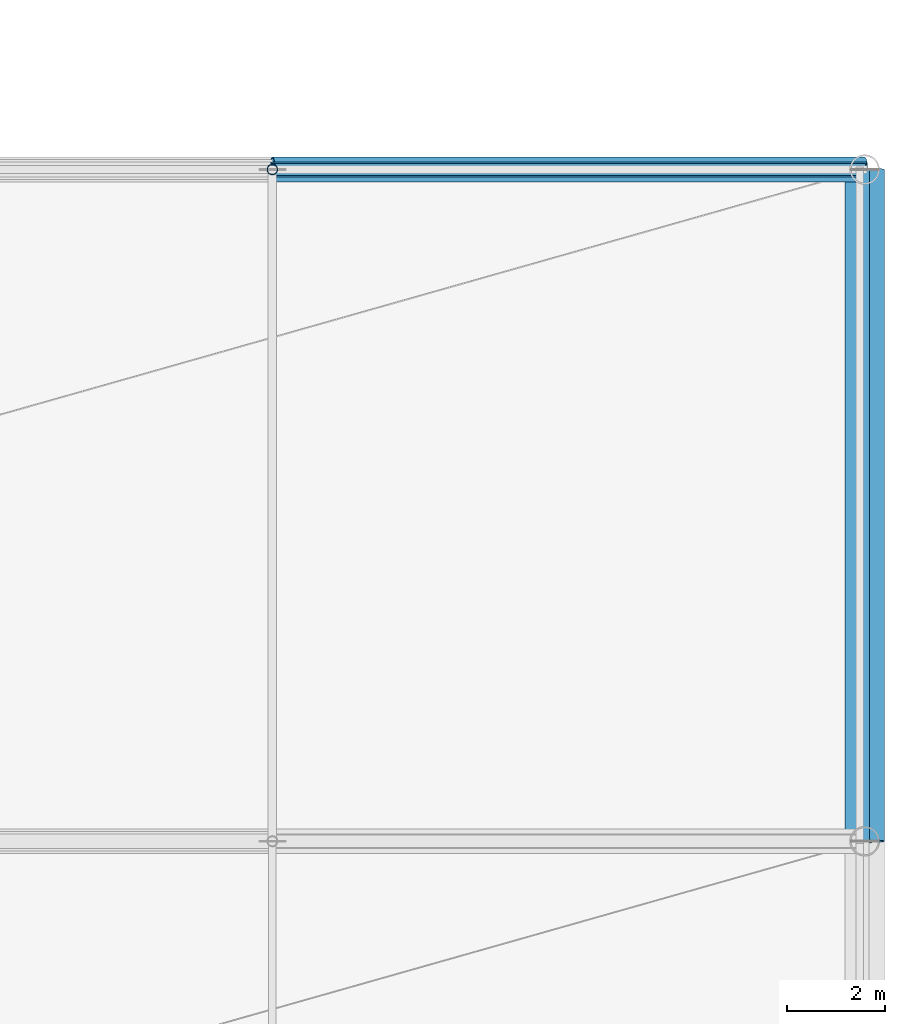
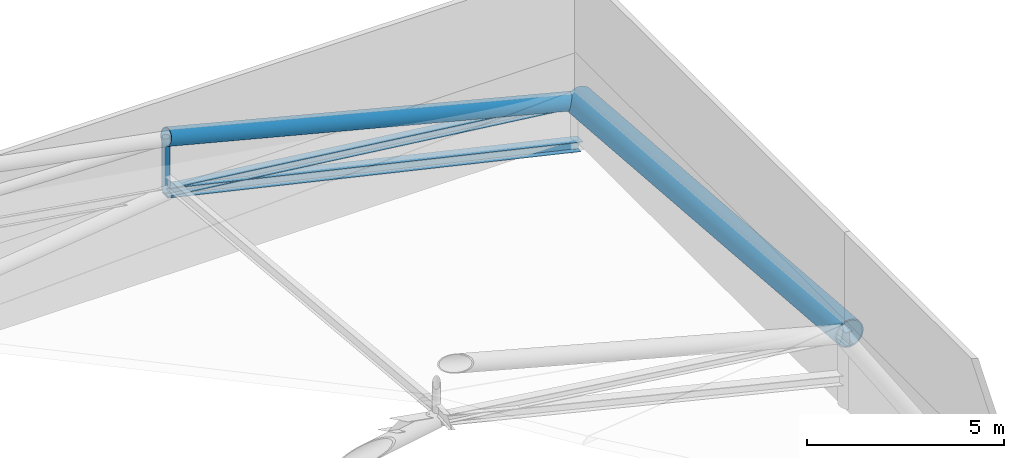
# One storey, part 26 of 36: 5 members, 1 beam.
"""IFC4 building model written with IfcOpenShell, lengths in metres."""

from ifc_helpers import new_model, si_unit, direction, frame, origin, origin_2d, place, context, subcontext, project, spatial, hollow_circle, i_section, extrude, material, material_profile, profile_set, type_object, element, save


model = new_model("IFC4")

# Units and contexts
model_context = context("Model", 3, precision=1e-05, world=origin(), true_north=direction((0.0, 1.0)))
body_context = subcontext(model_context, "Body", "Model", "MODEL_VIEW")
ifc_project = project(units=[si_unit("LENGTHUNIT", "METRE"), si_unit("AREAUNIT", "SQUARE_METRE"), si_unit("VOLUMEUNIT", "CUBIC_METRE"), si_unit("PLANEANGLEUNIT", "RADIAN"), si_unit("MASSUNIT", "GRAM", prefix="KILO")], contexts=[model_context])

# Site, building, storey
site_placement = place(None, origin())
site = spatial("IfcSite", under=ifc_project, at=site_placement, CompositionType="ELEMENT")
building_placement = place(site_placement, origin())
building = spatial("IfcBuilding", under=site, at=building_placement, Name="Linyun Crest Stadium", CompositionType="ELEMENT")
storey_placement = place(building_placement, frame((0.0, 0.0, 31.60009765625)))
storey = spatial("IfcBuildingStorey", under=building, at=storey_placement, Name="RF", CompositionType="ELEMENT", Elevation=31.60009765625)

# Beam
ifc_material_1 = material(Name="Steel Q420C", Category="steel")
ifc_material_profile_1 = material_profile(ifc_material_1, hollow_circle(Radius=0.406494140625, WallThickness=0.035888671875, at=origin_2d()), Name="CHS 813x36")
ifc_profile_set_1 = profile_set([ifc_material_profile_1], Name="Steel Q420C")
beam_type = type_object("IfcBeamType", Name="HB01", PredefinedType="USERDEFINED", material=ifc_profile_set_1)
beam_placement = place(storey_placement, frame((-35.5, 29.625, 2.15283203125), z_axis=(0.0, 0.996786513506, -0.080103973014), x_axis=(-1.0, 0.0, 0.0)))
element("IfcBeam", 1, at=beam_placement, inside=storey, type_object=beam_type, Name="Roof Inner tension ring beam HB01 V1 13", ObjectType="RING BEAM", PredefinedType="USERDEFINED", context=body_context, shape_type="SweptSolid", body=[
    extrude(hollow_circle(Radius=0.406494140625, WallThickness=0.035888671875, at=origin_2d()), origin(), (0.0, 0.0, 1.0), 13.79443359375),
])

# Members
ifc_material_2 = material(Name="Steel Q355B", Category="steel")
ifc_material_profile_2 = material_profile(ifc_material_2, i_section(OverallWidth=0.199951171875, OverallDepth=0.39990234375, WebThickness=0.008056640625, FlangeThickness=0.012939453125, at=origin_2d()), Name="HN 400x200")
ifc_profile_set_2 = profile_set([ifc_material_profile_2], Name="Steel Q355B")
member_type_1 = type_object("IfcMemberType", Name="PR03", PredefinedType="PURLIN", material=ifc_profile_set_2)
member_1_placement = place(storey_placement, frame((-35.5, 29.625, 1.992919921875), z_axis=(0.0, 0.996786513506, -0.080103973014), x_axis=(-1.0, 0.0, 0.0)))
element("IfcMember", 2, at=member_1_placement, inside=storey, type_object=member_type_1, Name="Roof canopy purlin PR03 V1 179", PredefinedType="PURLIN", context=body_context, shape_type="SweptSolid", body=[
    extrude(i_section(OverallWidth=0.199951171875, OverallDepth=0.39990234375, WebThickness=0.008056640625, FlangeThickness=0.012939453125, at=origin_2d()), origin(), (0.0, 0.0, 1.0), 13.79443359375),
])
ifc_material_3 = material(Name="Steel Q420C", Category="steel")
ifc_material_profile_3 = material_profile(ifc_material_3, hollow_circle(Radius=0.25390625, WallThickness=0.02490234375, at=origin_2d()), Name="CHS 508x25")
ifc_profile_set_3 = profile_set([ifc_material_profile_3], Name="Steel Q420C")
member_type_2 = type_object("IfcMemberType", Name="TC01", PredefinedType="CHORD", material=ifc_profile_set_3)
member_2_placement = place(storey_placement, frame((-47.625, 43.375, 4.160888671875), z_axis=(0.968585734895, 0.0, -0.248679862791), x_axis=(0.0, 1.0, 0.0)))
element("IfcMember", 3, at=member_2_placement, inside=storey, type_object=member_type_2, Name="Roof truss top chord TC01 V1 147", PredefinedType="CHORD", context=body_context, shape_type="SweptSolid", body=[
    extrude(hollow_circle(Radius=0.25390625, WallThickness=0.02490234375, at=origin_2d()), origin(), (0.0, 0.0, 1.0), 12.518310546875),
])
ifc_material_4 = material(Name="Steel Q355C", Category="steel")
ifc_material_profile_4 = material_profile(ifc_material_4, i_section(OverallWidth=0.300048828125, OverallDepth=0.300048828125, WebThickness=0.010009765625, FlangeThickness=0.014892578125, at=origin_2d()), Name="HW 300x300")
ifc_profile_set_4 = profile_set([ifc_material_profile_4], Name="Steel Q355C")
member_type_3 = type_object("IfcMemberType", Name="TC03", PredefinedType="CHORD", material=ifc_profile_set_4)
member_3_placement = place(storey_placement, frame((-47.625, 43.375, 2.496826171875), z_axis=(0.974339257531, 0.0, -0.225084453561), x_axis=(0.0, 1.0, 0.0)))
element("IfcMember", 4, at=member_3_placement, inside=storey, type_object=member_type_3, Name="Roof truss bottom chord TC03 V1 148", PredefinedType="CHORD", context=body_context, shape_type="SweptSolid", body=[
    extrude(i_section(OverallWidth=0.300048828125, OverallDepth=0.300048828125, WebThickness=0.010009765625, FlangeThickness=0.014892578125, at=origin_2d()), origin(), (0.0, 0.0, 1.0), 12.4443359375),
])
ifc_material_5 = material(Name="Steel Q355C", Category="steel")
ifc_material_profile_5 = material_profile(ifc_material_5, i_section(OverallWidth=0.25, OverallDepth=0.25, WebThickness=0.009033203125, FlangeThickness=0.013916015625, at=origin_2d()), Name="HW 250x250")
ifc_profile_set_5 = profile_set([ifc_material_profile_5], Name="Steel Q355C")
member_type_4 = type_object("IfcMemberType", Name="TD04", PredefinedType="BRACE", material=ifc_profile_set_5)
member_4_placement = place(storey_placement, frame((-47.625, 43.375, 2.496826171875), z_axis=(0.992935090225, 0.0, -0.118658782226), x_axis=(0.0, 1.0, 0.0)))
element("IfcMember", 5, at=member_4_placement, inside=storey, type_object=member_type_4, Name="Roof truss diagonal TD04 V1 149", PredefinedType="BRACE", context=body_context, shape_type="SweptSolid", body=[
    extrude(i_section(OverallWidth=0.25, OverallDepth=0.25, WebThickness=0.009033203125, FlangeThickness=0.013916015625, at=origin_2d()), origin(), (0.0, 0.0, 1.0), 12.211181640625),
])
ifc_material_6 = material(Name="Steel Q355C", Category="steel")
ifc_material_profile_6 = material_profile(ifc_material_6, hollow_circle(Radius=0.109619140625, WallThickness=0.011962890625, at=origin_2d()), Name="CHS 219x12")
ifc_profile_set_6 = profile_set([ifc_material_profile_6], Name="Steel Q355C")
member_type_5 = type_object("IfcMemberType", Name="TV01", PredefinedType="STRUT", material=ifc_profile_set_6)
member_5_placement = place(storey_placement, frame((-47.625, 43.375, 2.496826171875), z_axis=(0.0, 0.0, 1.0), x_axis=(1.0, 0.0, 0.0)))
element("IfcMember", 6, at=member_5_placement, inside=storey, type_object=member_type_5, Name="Roof vertical strut TV01 V1 150", PredefinedType="STRUT", context=body_context, shape_type="SweptSolid", body=[
    extrude(hollow_circle(Radius=0.109619140625, WallThickness=0.011962890625, at=origin_2d()), origin(), (0.0, 0.0, 1.0), 1.6640625),
])

save(model, "model.ifc")
